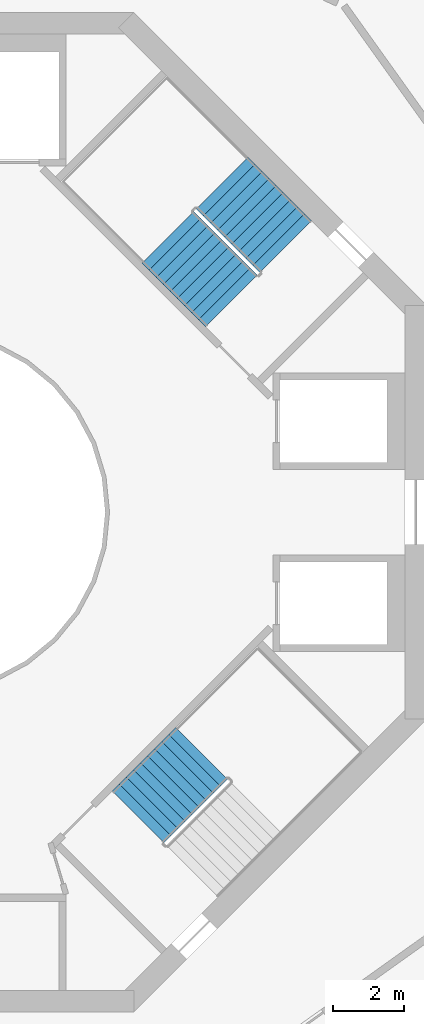
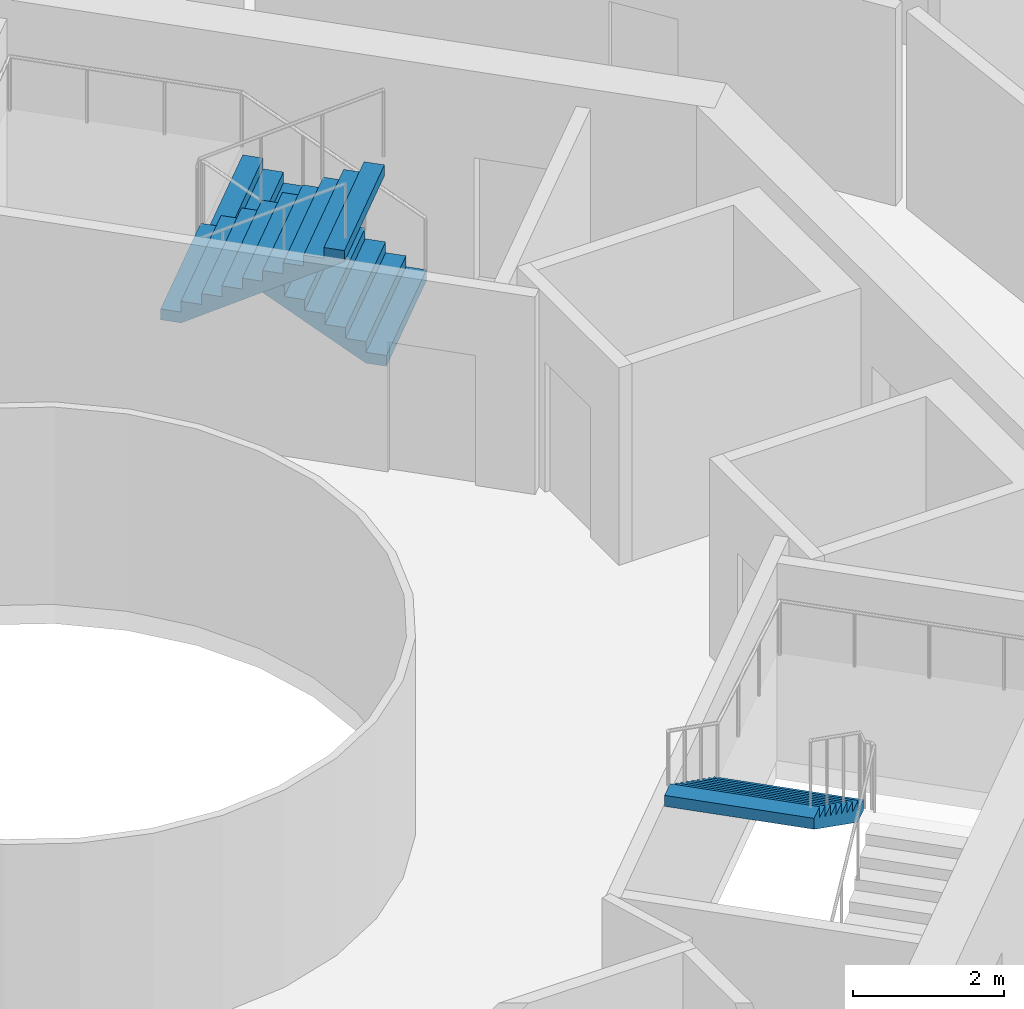
# One storey, part 21 of 22: 3 stair flights, 2 elements without a shape of their own.
"""IFC4 building model written with IfcOpenShell, lengths in metres."""

from ifc_helpers import new_model, si_unit, direction, frame, origin, place, context, subcontext, project, spatial, triangles, material, type_object, element, aggregate, save


model = new_model("IFC4")

# Units and contexts
model_context = context("Model", 3, precision=1e-05, world=origin(), true_north=direction((0.0, 1.0)))
body_context = subcontext(model_context, "Body", "Model", "MODEL_VIEW")
ifc_project = project(units=[si_unit("LENGTHUNIT", "METRE"), si_unit("AREAUNIT", "SQUARE_METRE"), si_unit("VOLUMEUNIT", "CUBIC_METRE"), si_unit("PLANEANGLEUNIT", "RADIAN"), si_unit("MASSUNIT", "GRAM", prefix="KILO")], contexts=[model_context])

# Site, building, storey
site_placement = place(None, origin())
site = spatial("IfcSite", under=ifc_project, at=site_placement, CompositionType="ELEMENT")
building_placement = place(site_placement, origin())
building = spatial("IfcBuilding", under=site, at=building_placement, Name="Verdalira Terraces Hotel", CompositionType="ELEMENT")
storey_placement = place(building_placement, frame((0.0, 0.0, 180.0)))
storey = spatial("IfcBuildingStorey", under=building, at=storey_placement, Name="L43", CompositionType="ELEMENT", Elevation=180.0)

# Stair, stair flights
ifc_material_1 = material(Name="Concrete C40", Category="concrete")
stair_type = type_object("IfcStairType", Name="Core stair 20 risers 2050 mm wide", PredefinedType="HALF_TURN_STAIR", material=ifc_material_1)
stair_1_placement = place(storey_placement, origin())
stair_1 = element("IfcStair", 1, at=stair_1_placement, inside=storey, type_object=stair_type, Name="L43 Exit stair ST1", PredefinedType="HALF_TURN_STAIR")
ifc_material_2 = material(Name="Concrete C40", Category="concrete")
stair_flight_type = type_object("IfcStairFlightType", Name="Core stair flight 20 risers 2050 mm wide", PredefinedType="STRAIGHT", material=ifc_material_2)
stair_flight_1_placement = place(storey_placement, frame((10.058594, 7.442383, 0.0), z_axis=(0.0, 0.0, 1.0), x_axis=(-0.707106781, 0.707106781, 0.0)))
stair_flight_1 = element("IfcStairFlight", 2, at=stair_flight_1_placement, type_object=stair_flight_type, Name="ST1 flight 1", NumberOfRisers=10, NumberOfTreads=9, PredefinedType="STRAIGHT", RiserHeight=0.175, TreadLength=0.28, context=body_context, shape_type="Tessellation", body=[
    triangles([(0.0, 1.025024, 0.0), (0.282715, 1.025024, 0.0), (2.52002, 1.025024, 1.398193), (0.0, -1.025024, 0.0), (0.282715, -1.025024, 0.0), (2.52002, -1.025024, 1.398193), (2.52002, 1.025024, 1.574951), (2.23999, 1.025024, 1.574951), (2.52002, -1.025024, 1.574951), (2.23999, -1.025024, 1.574951), (2.23999, 1.025024, 1.399902), (2.23999, -1.025024, 1.399902), (1.959961, 1.025024, 1.399902), (1.959961, -1.025024, 1.399902), (1.959961, 1.025024, 1.225098), (1.959961, -1.025024, 1.225098), (1.679932, 1.025024, 1.225098), (1.679932, 1.025024, 1.050049), (1.679932, -1.025024, 1.225098), (1.679932, -1.025024, 1.050049), (1.399902, 1.025024, 1.050049), (1.399902, 1.025024, 0.875), (1.399902, -1.025024, 1.050049), (1.399902, -1.025024, 0.875), (1.120117, 1.025024, 0.875), (1.120117, 1.025024, 0.699951), (1.120117, -1.025024, 0.875), (1.120117, -1.025024, 0.699951), (0.840088, 1.025024, 0.699951), (0.840088, 1.025024, 0.524902), (0.840088, -1.025024, 0.699951), (0.840088, -1.025024, 0.524902), (0.560059, 1.025024, 0.524902), (0.560059, 1.025024, 0.350098), (0.560059, -1.025024, 0.524902), (0.560059, -1.025024, 0.350098), (0.280029, 1.025024, 0.350098), (0.280029, 1.025024, 0.175049), (0.280029, -1.025024, 0.350098), (0.280029, -1.025024, 0.175049), (0.0, 1.025024, 0.175049), (0.0, -1.025024, 0.175049), (0.0, -0.96096, 0.0), (0.0, -0.96096, 0.175049), (0.0, -0.896896, 0.0), (0.0, -0.896896, 0.175049), (0.0, -0.832832, 0.0), (0.0, -0.832832, 0.175049), (0.0, -0.768768, 0.0), (0.0, -0.768768, 0.175049), (0.0, -0.704704, 0.0), (0.0, -0.704704, 0.175049), (0.0, -0.64064, 0.0), (0.0, -0.64064, 0.175049), (0.0, -0.576576, 0.0), (0.0, -0.576576, 0.175049), (0.0, -0.512512, 0.0), (0.0, -0.512512, 0.175049), (0.0, -0.448448, 0.0), (0.0, -0.448448, 0.175049), (0.0, -0.384384, 0.0), (0.0, -0.384384, 0.175049), (0.0, -0.32032, 0.0), (0.0, -0.32032, 0.175049), (0.0, -0.256256, 0.0), (0.0, -0.256256, 0.175049), (0.0, -0.192192, 0.0), (0.0, -0.192192, 0.175049), (0.0, -0.128128, 0.0), (0.0, -0.128128, 0.175049), (0.0, -0.064064, 0.0), (0.0, -0.064064, 0.175049), (0.0, 0.0, 0.0), (0.0, 0.0, 0.175049), (0.0, 0.064064, 0.0), (0.0, 0.064064, 0.175049), (0.0, 0.128128, 0.0), (0.0, 0.128128, 0.175049), (0.0, 0.192192, 0.0), (0.0, 0.192192, 0.175049), (0.0, 0.256256, 0.0), (0.0, 0.256256, 0.175049), (0.0, 0.32032, 0.0), (0.0, 0.32032, 0.175049), (0.0, 0.384384, 0.0), (0.0, 0.384384, 0.175049), (0.0, 0.448448, 0.0), (0.0, 0.448448, 0.175049), (0.0, 0.512512, 0.0), (0.0, 0.512512, 0.175049), (0.0, 0.576576, 0.0), (0.0, 0.576576, 0.175049), (0.0, 0.64064, 0.0), (0.0, 0.64064, 0.175049), (0.0, 0.704704, 0.0), (0.0, 0.704704, 0.175049), (0.0, 0.768768, 0.0), (0.0, 0.768768, 0.175049), (0.0, 0.832832, 0.0), (0.0, 0.832832, 0.175049), (0.0, 0.896896, 0.0), (0.0, 0.896896, 0.175049), (0.0, 0.96096, 0.0), (0.0, 0.96096, 0.175049), (2.52002, -0.96096, 1.574951), (2.52002, -0.896896, 1.574951), (2.52002, -0.832832, 1.574951), (2.52002, -0.768768, 1.574951), (2.52002, -0.704704, 1.574951), (2.52002, -0.64064, 1.574951), (2.52002, -0.576576, 1.574951), (2.52002, -0.512512, 1.574951), (2.52002, -0.448448, 1.574951), (2.52002, -0.384384, 1.574951), (2.52002, -0.32032, 1.574951), (2.52002, -0.256256, 1.574951), (2.52002, -0.192192, 1.574951), (2.52002, -0.128128, 1.574951), (2.52002, -0.064064, 1.574951), (2.52002, 0.0, 1.574951), (2.52002, 0.064064, 1.574951), (2.52002, 0.128128, 1.574951), (2.52002, 0.192192, 1.574951), (2.52002, 0.256256, 1.574951), (2.52002, 0.32032, 1.574951), (2.52002, 0.384384, 1.574951), (2.52002, 0.448448, 1.574951), (2.52002, 0.512512, 1.574951), (2.52002, 0.576576, 1.574951), (2.52002, 0.64064, 1.574951), (2.52002, 0.704704, 1.574951), (2.52002, 0.768768, 1.574951), (2.52002, 0.832832, 1.574951), (2.52002, 0.896896, 1.574951), (2.52002, 0.96096, 1.574951), (2.52002, -0.96096, 1.398193), (2.52002, -0.896896, 1.398193), (2.52002, -0.832832, 1.398193), (2.52002, -0.768768, 1.398193), (2.52002, -0.704704, 1.398193), (2.52002, -0.64064, 1.398193), (2.52002, -0.576576, 1.398193), (2.52002, -0.512512, 1.398193), (2.52002, -0.448448, 1.398193), (2.52002, -0.384384, 1.398193), (2.52002, -0.32032, 1.398193), (2.52002, -0.256256, 1.398193), (2.52002, -0.192192, 1.398193), (2.52002, -0.128128, 1.398193), (2.52002, -0.064064, 1.398193), (2.52002, 0.0, 1.398193), (2.52002, 0.064064, 1.398193), (2.52002, 0.128128, 1.398193), (2.52002, 0.192192, 1.398193), (2.52002, 0.256256, 1.398193), (2.52002, 0.32032, 1.398193), (2.52002, 0.384384, 1.398193), (2.52002, 0.448448, 1.398193), (2.52002, 0.512512, 1.398193), (2.52002, 0.576576, 1.398193), (2.52002, 0.64064, 1.398193), (2.52002, 0.704704, 1.398193), (2.52002, 0.768768, 1.398193), (2.52002, 0.832832, 1.398193), (2.52002, 0.896896, 1.398193), (2.52002, 0.96096, 1.398193)], [[1, 3, 2], [4, 5, 6], [3, 8, 7], [6, 9, 10], [3, 11, 8], [6, 10, 12], [3, 13, 11], [6, 12, 14], [3, 15, 13], [6, 14, 16], [15, 18, 17], [16, 19, 20], [3, 18, 15], [6, 16, 20], [18, 22, 21], [20, 23, 24], [3, 22, 18], [6, 20, 24], [22, 26, 25], [24, 27, 28], [3, 26, 22], [6, 24, 28], [26, 30, 29], [28, 31, 32], [3, 30, 26], [6, 28, 32], [1, 30, 3], [4, 6, 32], [30, 34, 33], [32, 35, 36], [34, 38, 37], [36, 39, 40], [30, 38, 34], [32, 36, 40], [1, 38, 30], [4, 32, 40], [38, 1, 41], [40, 42, 4], [4, 44, 43], [4, 42, 44], [43, 46, 45], [43, 44, 46], [45, 48, 47], [45, 46, 48], [47, 50, 49], [47, 48, 50], [49, 52, 51], [49, 50, 52], [51, 54, 53], [51, 52, 54], [53, 56, 55], [53, 54, 56], [55, 58, 57], [55, 56, 58], [57, 60, 59], [57, 58, 60], [59, 62, 61], [59, 60, 62], [61, 64, 63], [61, 62, 64], [63, 66, 65], [63, 64, 66], [65, 68, 67], [65, 66, 68], [67, 70, 69], [67, 68, 70], [69, 72, 71], [69, 70, 72], [71, 74, 73], [71, 72, 74], [73, 76, 75], [73, 74, 76], [75, 78, 77], [75, 76, 78], [77, 80, 79], [77, 78, 80], [79, 82, 81], [79, 80, 82], [81, 84, 83], [81, 82, 84], [83, 86, 85], [83, 84, 86], [85, 88, 87], [85, 86, 88], [87, 90, 89], [87, 88, 90], [89, 92, 91], [89, 90, 92], [91, 94, 93], [91, 92, 94], [93, 96, 95], [93, 94, 96], [95, 98, 97], [95, 96, 98], [97, 100, 99], [97, 98, 100], [99, 102, 101], [99, 100, 102], [101, 104, 103], [101, 102, 104], [103, 41, 1], [103, 104, 41], [42, 40, 44], [44, 40, 46], [46, 40, 48], [48, 40, 50], [50, 40, 52], [52, 40, 54], [54, 40, 56], [56, 40, 58], [58, 40, 60], [60, 40, 62], [62, 40, 64], [64, 40, 66], [66, 40, 68], [68, 40, 70], [70, 40, 72], [72, 40, 74], [74, 40, 76], [76, 40, 78], [78, 40, 80], [80, 40, 82], [82, 40, 84], [84, 40, 86], [86, 40, 88], [88, 40, 90], [90, 40, 92], [92, 40, 94], [94, 40, 96], [96, 40, 98], [98, 40, 100], [100, 40, 102], [102, 40, 104], [104, 40, 41], [41, 40, 38], [40, 37, 38], [40, 39, 37], [39, 34, 37], [39, 36, 34], [36, 33, 34], [36, 35, 33], [35, 30, 33], [35, 32, 30], [32, 29, 30], [32, 31, 29], [31, 26, 29], [31, 28, 26], [28, 25, 26], [28, 27, 25], [27, 22, 25], [27, 24, 22], [24, 21, 22], [24, 23, 21], [23, 18, 21], [23, 20, 18], [20, 17, 18], [20, 19, 17], [19, 15, 17], [19, 16, 15], [16, 13, 15], [16, 14, 13], [14, 11, 13], [14, 12, 11], [12, 8, 11], [12, 10, 8], [9, 105, 10], [105, 106, 10], [106, 107, 10], [107, 108, 10], [108, 109, 10], [109, 110, 10], [110, 111, 10], [111, 112, 10], [112, 113, 10], [113, 114, 10], [114, 115, 10], [115, 116, 10], [116, 117, 10], [117, 118, 10], [118, 119, 10], [119, 120, 10], [120, 121, 10], [121, 122, 10], [122, 123, 10], [123, 124, 10], [124, 125, 10], [125, 126, 10], [126, 127, 10], [127, 128, 10], [128, 129, 10], [129, 130, 10], [130, 131, 10], [131, 132, 10], [132, 133, 10], [133, 134, 10], [134, 135, 10], [135, 7, 10], [7, 8, 10], [9, 136, 105], [9, 6, 136], [105, 137, 106], [105, 136, 137], [106, 138, 107], [106, 137, 138], [107, 139, 108], [107, 138, 139], [108, 140, 109], [108, 139, 140], [109, 141, 110], [109, 140, 141], [110, 142, 111], [110, 141, 142], [111, 143, 112], [111, 142, 143], [112, 144, 113], [112, 143, 144], [113, 145, 114], [113, 144, 145], [114, 146, 115], [114, 145, 146], [115, 147, 116], [115, 146, 147], [116, 148, 117], [116, 147, 148], [117, 149, 118], [117, 148, 149], [118, 150, 119], [118, 149, 150], [119, 151, 120], [119, 150, 151], [120, 152, 121], [120, 151, 152], [121, 153, 122], [121, 152, 153], [122, 154, 123], [122, 153, 154], [123, 155, 124], [123, 154, 155], [124, 156, 125], [124, 155, 156], [125, 157, 126], [125, 156, 157], [126, 158, 127], [126, 157, 158], [127, 159, 128], [127, 158, 159], [128, 160, 129], [128, 159, 160], [129, 161, 130], [129, 160, 161], [130, 162, 131], [130, 161, 162], [131, 163, 132], [131, 162, 163], [132, 164, 133], [132, 163, 164], [133, 165, 134], [133, 164, 165], [134, 166, 135], [134, 165, 166], [135, 3, 7], [135, 166, 3], [6, 5, 136], [136, 5, 137], [137, 5, 138], [138, 5, 139], [139, 5, 140], [140, 5, 141], [141, 5, 142], [142, 5, 143], [143, 5, 144], [144, 5, 145], [145, 5, 146], [146, 5, 147], [147, 5, 148], [148, 5, 149], [149, 5, 150], [150, 5, 151], [151, 5, 152], [152, 5, 153], [153, 5, 154], [154, 5, 155], [155, 5, 156], [156, 5, 157], [157, 5, 158], [158, 5, 159], [159, 5, 160], [160, 5, 161], [161, 5, 162], [162, 5, 163], [163, 5, 164], [164, 5, 165], [165, 5, 166], [166, 5, 3], [3, 5, 2], [4, 43, 5], [43, 45, 5], [45, 47, 5], [47, 49, 5], [49, 51, 5], [51, 53, 5], [53, 55, 5], [55, 57, 5], [57, 59, 5], [59, 61, 5], [61, 63, 5], [63, 65, 5], [65, 67, 5], [67, 69, 5], [69, 71, 5], [71, 73, 5], [73, 75, 5], [75, 77, 5], [77, 79, 5], [79, 81, 5], [81, 83, 5], [83, 85, 5], [85, 87, 5], [87, 89, 5], [89, 91, 5], [91, 93, 5], [93, 95, 5], [95, 97, 5], [97, 99, 5], [99, 101, 5], [101, 103, 5], [103, 1, 5], [1, 2, 5]], closed=True),
])
stair_flight_2_placement = place(storey_placement, frame((6.756348, 7.703857, 1.75), z_axis=(0.0, 0.0, 1.0), x_axis=(0.707106781, -0.707106781, 0.0)))
stair_flight_2 = element("IfcStairFlight", 3, at=stair_flight_2_placement, type_object=stair_flight_type, Name="ST1 flight 2", NumberOfRisers=10, NumberOfTreads=9, PredefinedType="STRAIGHT", RiserHeight=0.175, TreadLength=0.28, context=body_context, shape_type="Tessellation", body=[
    triangles([(0.0, 1.025024, 0.0), (0.282715, 1.025024, 0.0), (2.52002, 1.025024, 1.398193), (0.0, -1.025024, 0.0), (0.282715, -1.025024, 0.0), (2.52002, -1.025024, 1.398193), (2.52002, 1.025024, 1.574951), (2.23999, 1.025024, 1.574951), (2.52002, -1.025024, 1.574951), (2.23999, -1.025024, 1.574951), (2.23999, 1.025024, 1.399902), (2.23999, -1.025024, 1.399902), (1.959961, 1.025024, 1.399902), (1.959961, -1.025024, 1.399902), (1.959961, 1.025024, 1.225098), (1.959961, -1.025024, 1.225098), (1.679932, 1.025024, 1.225098), (1.679932, 1.025024, 1.050049), (1.679932, -1.025024, 1.225098), (1.679932, -1.025024, 1.050049), (1.399902, 1.025024, 1.050049), (1.399902, 1.025024, 0.875), (1.399902, -1.025024, 1.050049), (1.399902, -1.025024, 0.875), (1.120117, 1.025024, 0.875), (1.120117, 1.025024, 0.699951), (1.120117, -1.025024, 0.875), (1.120117, -1.025024, 0.699951), (0.840088, 1.025024, 0.699951), (0.840088, 1.025024, 0.524902), (0.840088, -1.025024, 0.699951), (0.840088, -1.025024, 0.524902), (0.560059, 1.025024, 0.524902), (0.560059, 1.025024, 0.350098), (0.560059, -1.025024, 0.524902), (0.560059, -1.025024, 0.350098), (0.280029, 1.025024, 0.350098), (0.280029, 1.025024, 0.175049), (0.280029, -1.025024, 0.350098), (0.280029, -1.025024, 0.175049), (0.0, 1.025024, 0.175049), (0.0, -1.025024, 0.175049), (0.0, -0.96096, 0.0), (0.0, -0.96096, 0.175049), (0.0, -0.896896, 0.0), (0.0, -0.896896, 0.175049), (0.0, -0.832832, 0.0), (0.0, -0.832832, 0.175049), (0.0, -0.768768, 0.0), (0.0, -0.768768, 0.175049), (0.0, -0.704704, 0.0), (0.0, -0.704704, 0.175049), (0.0, -0.64064, 0.0), (0.0, -0.64064, 0.175049), (0.0, -0.576576, 0.0), (0.0, -0.576576, 0.175049), (0.0, -0.512512, 0.0), (0.0, -0.512512, 0.175049), (0.0, -0.448448, 0.0), (0.0, -0.448448, 0.175049), (0.0, -0.384384, 0.0), (0.0, -0.384384, 0.175049), (0.0, -0.32032, 0.0), (0.0, -0.32032, 0.175049), (0.0, -0.256256, 0.0), (0.0, -0.256256, 0.175049), (0.0, -0.192192, 0.0), (0.0, -0.192192, 0.175049), (0.0, -0.128128, 0.0), (0.0, -0.128128, 0.175049), (0.0, -0.064064, 0.0), (0.0, -0.064064, 0.175049), (0.0, 0.0, 0.0), (0.0, 0.0, 0.175049), (0.0, 0.064064, 0.0), (0.0, 0.064064, 0.175049), (0.0, 0.128128, 0.0), (0.0, 0.128128, 0.175049), (0.0, 0.192192, 0.0), (0.0, 0.192192, 0.175049), (0.0, 0.256256, 0.0), (0.0, 0.256256, 0.175049), (0.0, 0.32032, 0.0), (0.0, 0.32032, 0.175049), (0.0, 0.384384, 0.0), (0.0, 0.384384, 0.175049), (0.0, 0.448448, 0.0), (0.0, 0.448448, 0.175049), (0.0, 0.512512, 0.0), (0.0, 0.512512, 0.175049), (0.0, 0.576576, 0.0), (0.0, 0.576576, 0.175049), (0.0, 0.64064, 0.0), (0.0, 0.64064, 0.175049), (0.0, 0.704704, 0.0), (0.0, 0.704704, 0.175049), (0.0, 0.768768, 0.0), (0.0, 0.768768, 0.175049), (0.0, 0.832832, 0.0), (0.0, 0.832832, 0.175049), (0.0, 0.896896, 0.0), (0.0, 0.896896, 0.175049), (0.0, 0.96096, 0.0), (0.0, 0.96096, 0.175049), (2.52002, -0.96096, 1.574951), (2.52002, -0.896896, 1.574951), (2.52002, -0.832832, 1.574951), (2.52002, -0.768768, 1.574951), (2.52002, -0.704704, 1.574951), (2.52002, -0.64064, 1.574951), (2.52002, -0.576576, 1.574951), (2.52002, -0.512512, 1.574951), (2.52002, -0.448448, 1.574951), (2.52002, -0.384384, 1.574951), (2.52002, -0.32032, 1.574951), (2.52002, -0.256256, 1.574951), (2.52002, -0.192192, 1.574951), (2.52002, -0.128128, 1.574951), (2.52002, -0.064064, 1.574951), (2.52002, 0.0, 1.574951), (2.52002, 0.064064, 1.574951), (2.52002, 0.128128, 1.574951), (2.52002, 0.192192, 1.574951), (2.52002, 0.256256, 1.574951), (2.52002, 0.32032, 1.574951), (2.52002, 0.384384, 1.574951), (2.52002, 0.448448, 1.574951), (2.52002, 0.512512, 1.574951), (2.52002, 0.576576, 1.574951), (2.52002, 0.64064, 1.574951), (2.52002, 0.704704, 1.574951), (2.52002, 0.768768, 1.574951), (2.52002, 0.832832, 1.574951), (2.52002, 0.896896, 1.574951), (2.52002, 0.96096, 1.574951), (2.52002, -0.96096, 1.398193), (2.52002, -0.896896, 1.398193), (2.52002, -0.832832, 1.398193), (2.52002, -0.768768, 1.398193), (2.52002, -0.704704, 1.398193), (2.52002, -0.64064, 1.398193), (2.52002, -0.576576, 1.398193), (2.52002, -0.512512, 1.398193), (2.52002, -0.448448, 1.398193), (2.52002, -0.384384, 1.398193), (2.52002, -0.32032, 1.398193), (2.52002, -0.256256, 1.398193), (2.52002, -0.192192, 1.398193), (2.52002, -0.128128, 1.398193), (2.52002, -0.064064, 1.398193), (2.52002, 0.0, 1.398193), (2.52002, 0.064064, 1.398193), (2.52002, 0.128128, 1.398193), (2.52002, 0.192192, 1.398193), (2.52002, 0.256256, 1.398193), (2.52002, 0.32032, 1.398193), (2.52002, 0.384384, 1.398193), (2.52002, 0.448448, 1.398193), (2.52002, 0.512512, 1.398193), (2.52002, 0.576576, 1.398193), (2.52002, 0.64064, 1.398193), (2.52002, 0.704704, 1.398193), (2.52002, 0.768768, 1.398193), (2.52002, 0.832832, 1.398193), (2.52002, 0.896896, 1.398193), (2.52002, 0.96096, 1.398193)], [[1, 3, 2], [4, 5, 6], [3, 8, 7], [6, 9, 10], [3, 11, 8], [6, 10, 12], [3, 13, 11], [6, 12, 14], [3, 15, 13], [6, 14, 16], [15, 18, 17], [16, 19, 20], [3, 18, 15], [6, 16, 20], [18, 22, 21], [20, 23, 24], [3, 22, 18], [6, 20, 24], [22, 26, 25], [24, 27, 28], [3, 26, 22], [6, 24, 28], [26, 30, 29], [28, 31, 32], [3, 30, 26], [6, 28, 32], [1, 30, 3], [4, 6, 32], [30, 34, 33], [32, 35, 36], [34, 38, 37], [36, 39, 40], [30, 38, 34], [32, 36, 40], [1, 38, 30], [4, 32, 40], [38, 1, 41], [40, 42, 4], [4, 44, 43], [4, 42, 44], [43, 46, 45], [43, 44, 46], [45, 48, 47], [45, 46, 48], [47, 50, 49], [47, 48, 50], [49, 52, 51], [49, 50, 52], [51, 54, 53], [51, 52, 54], [53, 56, 55], [53, 54, 56], [55, 58, 57], [55, 56, 58], [57, 60, 59], [57, 58, 60], [59, 62, 61], [59, 60, 62], [61, 64, 63], [61, 62, 64], [63, 66, 65], [63, 64, 66], [65, 68, 67], [65, 66, 68], [67, 70, 69], [67, 68, 70], [69, 72, 71], [69, 70, 72], [71, 74, 73], [71, 72, 74], [73, 76, 75], [73, 74, 76], [75, 78, 77], [75, 76, 78], [77, 80, 79], [77, 78, 80], [79, 82, 81], [79, 80, 82], [81, 84, 83], [81, 82, 84], [83, 86, 85], [83, 84, 86], [85, 88, 87], [85, 86, 88], [87, 90, 89], [87, 88, 90], [89, 92, 91], [89, 90, 92], [91, 94, 93], [91, 92, 94], [93, 96, 95], [93, 94, 96], [95, 98, 97], [95, 96, 98], [97, 100, 99], [97, 98, 100], [99, 102, 101], [99, 100, 102], [101, 104, 103], [101, 102, 104], [103, 41, 1], [103, 104, 41], [42, 40, 44], [44, 40, 46], [46, 40, 48], [48, 40, 50], [50, 40, 52], [52, 40, 54], [54, 40, 56], [56, 40, 58], [58, 40, 60], [60, 40, 62], [62, 40, 64], [64, 40, 66], [66, 40, 68], [68, 40, 70], [70, 40, 72], [72, 40, 74], [74, 40, 76], [76, 40, 78], [78, 40, 80], [80, 40, 82], [82, 40, 84], [84, 40, 86], [86, 40, 88], [88, 40, 90], [90, 40, 92], [92, 40, 94], [94, 40, 96], [96, 40, 98], [98, 40, 100], [100, 40, 102], [102, 40, 104], [104, 40, 41], [41, 40, 38], [40, 37, 38], [40, 39, 37], [39, 34, 37], [39, 36, 34], [36, 33, 34], [36, 35, 33], [35, 30, 33], [35, 32, 30], [32, 29, 30], [32, 31, 29], [31, 26, 29], [31, 28, 26], [28, 25, 26], [28, 27, 25], [27, 22, 25], [27, 24, 22], [24, 21, 22], [24, 23, 21], [23, 18, 21], [23, 20, 18], [20, 17, 18], [20, 19, 17], [19, 15, 17], [19, 16, 15], [16, 13, 15], [16, 14, 13], [14, 11, 13], [14, 12, 11], [12, 8, 11], [12, 10, 8], [9, 105, 10], [105, 106, 10], [106, 107, 10], [107, 108, 10], [108, 109, 10], [109, 110, 10], [110, 111, 10], [111, 112, 10], [112, 113, 10], [113, 114, 10], [114, 115, 10], [115, 116, 10], [116, 117, 10], [117, 118, 10], [118, 119, 10], [119, 120, 10], [120, 121, 10], [121, 122, 10], [122, 123, 10], [123, 124, 10], [124, 125, 10], [125, 126, 10], [126, 127, 10], [127, 128, 10], [128, 129, 10], [129, 130, 10], [130, 131, 10], [131, 132, 10], [132, 133, 10], [133, 134, 10], [134, 135, 10], [135, 7, 10], [7, 8, 10], [9, 136, 105], [9, 6, 136], [105, 137, 106], [105, 136, 137], [106, 138, 107], [106, 137, 138], [107, 139, 108], [107, 138, 139], [108, 140, 109], [108, 139, 140], [109, 141, 110], [109, 140, 141], [110, 142, 111], [110, 141, 142], [111, 143, 112], [111, 142, 143], [112, 144, 113], [112, 143, 144], [113, 145, 114], [113, 144, 145], [114, 146, 115], [114, 145, 146], [115, 147, 116], [115, 146, 147], [116, 148, 117], [116, 147, 148], [117, 149, 118], [117, 148, 149], [118, 150, 119], [118, 149, 150], [119, 151, 120], [119, 150, 151], [120, 152, 121], [120, 151, 152], [121, 153, 122], [121, 152, 153], [122, 154, 123], [122, 153, 154], [123, 155, 124], [123, 154, 155], [124, 156, 125], [124, 155, 156], [125, 157, 126], [125, 156, 157], [126, 158, 127], [126, 157, 158], [127, 159, 128], [127, 158, 159], [128, 160, 129], [128, 159, 160], [129, 161, 130], [129, 160, 161], [130, 162, 131], [130, 161, 162], [131, 163, 132], [131, 162, 163], [132, 164, 133], [132, 163, 164], [133, 165, 134], [133, 164, 165], [134, 166, 135], [134, 165, 166], [135, 3, 7], [135, 166, 3], [6, 5, 136], [136, 5, 137], [137, 5, 138], [138, 5, 139], [139, 5, 140], [140, 5, 141], [141, 5, 142], [142, 5, 143], [143, 5, 144], [144, 5, 145], [145, 5, 146], [146, 5, 147], [147, 5, 148], [148, 5, 149], [149, 5, 150], [150, 5, 151], [151, 5, 152], [152, 5, 153], [153, 5, 154], [154, 5, 155], [155, 5, 156], [156, 5, 157], [157, 5, 158], [158, 5, 159], [159, 5, 160], [160, 5, 161], [161, 5, 162], [162, 5, 163], [163, 5, 164], [164, 5, 165], [165, 5, 166], [166, 5, 3], [3, 5, 2], [4, 43, 5], [43, 45, 5], [45, 47, 5], [47, 49, 5], [49, 51, 5], [51, 53, 5], [53, 55, 5], [55, 57, 5], [57, 59, 5], [59, 61, 5], [61, 63, 5], [63, 65, 5], [65, 67, 5], [67, 69, 5], [69, 71, 5], [71, 73, 5], [73, 75, 5], [75, 77, 5], [77, 79, 5], [79, 81, 5], [81, 83, 5], [83, 85, 5], [85, 87, 5], [87, 89, 5], [89, 91, 5], [91, 93, 5], [93, 95, 5], [95, 97, 5], [97, 99, 5], [99, 101, 5], [101, 103, 5], [103, 1, 5], [1, 2, 5]], closed=True),
])
aggregate(stair_1, [stair_flight_1, stair_flight_2])

# Stair, stair flight
stair_2_placement = place(storey_placement, origin())
stair_2 = element("IfcStair", 4, at=stair_2_placement, inside=storey, type_object=stair_type, Name="L43 Exit stair ST3", PredefinedType="HALF_TURN_STAIR")
stair_flight_3_placement = place(storey_placement, frame((7.703857, -6.756348, 1.75), z_axis=(0.0, 0.0, 1.0), x_axis=(-0.707106781, -0.707106781, 0.0)))
stair_flight_3 = element("IfcStairFlight", 5, at=stair_flight_3_placement, type_object=stair_flight_type, Name="ST3 flight 2", NumberOfRisers=10, NumberOfTreads=9, PredefinedType="STRAIGHT", RiserHeight=0.175, TreadLength=0.28, context=body_context, shape_type="Tessellation", body=[
    triangles([(0.0, 1.025024, 0.0), (0.282715, 1.025024, 0.0), (2.52002, 1.025024, 1.398193), (0.0, -1.025024, 0.0), (0.282715, -1.025024, 0.0), (2.52002, -1.025024, 1.398193), (2.52002, 1.025024, 1.574951), (2.23999, 1.025024, 1.574951), (2.52002, -1.025024, 1.574951), (2.23999, -1.025024, 1.574951), (2.23999, 1.025024, 1.399902), (2.23999, -1.025024, 1.399902), (1.959961, 1.025024, 1.399902), (1.959961, -1.025024, 1.399902), (1.959961, 1.025024, 1.225098), (1.959961, -1.025024, 1.225098), (1.679932, 1.025024, 1.225098), (1.679932, 1.025024, 1.050049), (1.679932, -1.025024, 1.225098), (1.679932, -1.025024, 1.050049), (1.399902, 1.025024, 1.050049), (1.399902, 1.025024, 0.875), (1.399902, -1.025024, 1.050049), (1.399902, -1.025024, 0.875), (1.120117, 1.025024, 0.875), (1.120117, 1.025024, 0.699951), (1.120117, -1.025024, 0.875), (1.120117, -1.025024, 0.699951), (0.840088, 1.025024, 0.699951), (0.840088, 1.025024, 0.524902), (0.840088, -1.025024, 0.699951), (0.840088, -1.025024, 0.524902), (0.560059, 1.025024, 0.524902), (0.560059, 1.025024, 0.350098), (0.560059, -1.025024, 0.524902), (0.560059, -1.025024, 0.350098), (0.280029, 1.025024, 0.350098), (0.280029, 1.025024, 0.175049), (0.280029, -1.025024, 0.350098), (0.280029, -1.025024, 0.175049), (0.0, 1.025024, 0.175049), (0.0, -1.025024, 0.175049), (0.0, -0.96096, 0.0), (0.0, -0.96096, 0.175049), (0.0, -0.896896, 0.0), (0.0, -0.896896, 0.175049), (0.0, -0.832832, 0.0), (0.0, -0.832832, 0.175049), (0.0, -0.768768, 0.0), (0.0, -0.768768, 0.175049), (0.0, -0.704704, 0.0), (0.0, -0.704704, 0.175049), (0.0, -0.64064, 0.0), (0.0, -0.64064, 0.175049), (0.0, -0.576576, 0.0), (0.0, -0.576576, 0.175049), (0.0, -0.512512, 0.0), (0.0, -0.512512, 0.175049), (0.0, -0.448448, 0.0), (0.0, -0.448448, 0.175049), (0.0, -0.384384, 0.0), (0.0, -0.384384, 0.175049), (0.0, -0.32032, 0.0), (0.0, -0.32032, 0.175049), (0.0, -0.256256, 0.0), (0.0, -0.256256, 0.175049), (0.0, -0.192192, 0.0), (0.0, -0.192192, 0.175049), (0.0, -0.128128, 0.0), (0.0, -0.128128, 0.175049), (0.0, -0.064064, 0.0), (0.0, -0.064064, 0.175049), (0.0, 0.0, 0.0), (0.0, 0.0, 0.175049), (0.0, 0.064064, 0.0), (0.0, 0.064064, 0.175049), (0.0, 0.128128, 0.0), (0.0, 0.128128, 0.175049), (0.0, 0.192192, 0.0), (0.0, 0.192192, 0.175049), (0.0, 0.256256, 0.0), (0.0, 0.256256, 0.175049), (0.0, 0.32032, 0.0), (0.0, 0.32032, 0.175049), (0.0, 0.384384, 0.0), (0.0, 0.384384, 0.175049), (0.0, 0.448448, 0.0), (0.0, 0.448448, 0.175049), (0.0, 0.512512, 0.0), (0.0, 0.512512, 0.175049), (0.0, 0.576576, 0.0), (0.0, 0.576576, 0.175049), (0.0, 0.64064, 0.0), (0.0, 0.64064, 0.175049), (0.0, 0.704704, 0.0), (0.0, 0.704704, 0.175049), (0.0, 0.768768, 0.0), (0.0, 0.768768, 0.175049), (0.0, 0.832832, 0.0), (0.0, 0.832832, 0.175049), (0.0, 0.896896, 0.0), (0.0, 0.896896, 0.175049), (0.0, 0.96096, 0.0), (0.0, 0.96096, 0.175049), (2.52002, -0.96096, 1.574951), (2.52002, -0.896896, 1.574951), (2.52002, -0.832832, 1.574951), (2.52002, -0.768768, 1.574951), (2.52002, -0.704704, 1.574951), (2.52002, -0.64064, 1.574951), (2.52002, -0.576576, 1.574951), (2.52002, -0.512512, 1.574951), (2.52002, -0.448448, 1.574951), (2.52002, -0.384384, 1.574951), (2.52002, -0.32032, 1.574951), (2.52002, -0.256256, 1.574951), (2.52002, -0.192192, 1.574951), (2.52002, -0.128128, 1.574951), (2.52002, -0.064064, 1.574951), (2.52002, 0.0, 1.574951), (2.52002, 0.064064, 1.574951), (2.52002, 0.128128, 1.574951), (2.52002, 0.192192, 1.574951), (2.52002, 0.256256, 1.574951), (2.52002, 0.32032, 1.574951), (2.52002, 0.384384, 1.574951), (2.52002, 0.448448, 1.574951), (2.52002, 0.512512, 1.574951), (2.52002, 0.576576, 1.574951), (2.52002, 0.64064, 1.574951), (2.52002, 0.704704, 1.574951), (2.52002, 0.768768, 1.574951), (2.52002, 0.832832, 1.574951), (2.52002, 0.896896, 1.574951), (2.52002, 0.96096, 1.574951), (2.52002, -0.96096, 1.398193), (2.52002, -0.896896, 1.398193), (2.52002, -0.832832, 1.398193), (2.52002, -0.768768, 1.398193), (2.52002, -0.704704, 1.398193), (2.52002, -0.64064, 1.398193), (2.52002, -0.576576, 1.398193), (2.52002, -0.512512, 1.398193), (2.52002, -0.448448, 1.398193), (2.52002, -0.384384, 1.398193), (2.52002, -0.32032, 1.398193), (2.52002, -0.256256, 1.398193), (2.52002, -0.192192, 1.398193), (2.52002, -0.128128, 1.398193), (2.52002, -0.064064, 1.398193), (2.52002, 0.0, 1.398193), (2.52002, 0.064064, 1.398193), (2.52002, 0.128128, 1.398193), (2.52002, 0.192192, 1.398193), (2.52002, 0.256256, 1.398193), (2.52002, 0.32032, 1.398193), (2.52002, 0.384384, 1.398193), (2.52002, 0.448448, 1.398193), (2.52002, 0.512512, 1.398193), (2.52002, 0.576576, 1.398193), (2.52002, 0.64064, 1.398193), (2.52002, 0.704704, 1.398193), (2.52002, 0.768768, 1.398193), (2.52002, 0.832832, 1.398193), (2.52002, 0.896896, 1.398193), (2.52002, 0.96096, 1.398193)], [[1, 3, 2], [4, 5, 6], [3, 8, 7], [6, 9, 10], [3, 11, 8], [6, 10, 12], [3, 13, 11], [6, 12, 14], [3, 15, 13], [6, 14, 16], [15, 18, 17], [16, 19, 20], [3, 18, 15], [6, 16, 20], [18, 22, 21], [20, 23, 24], [3, 22, 18], [6, 20, 24], [22, 26, 25], [24, 27, 28], [3, 26, 22], [6, 24, 28], [26, 30, 29], [28, 31, 32], [3, 30, 26], [6, 28, 32], [1, 30, 3], [4, 6, 32], [30, 34, 33], [32, 35, 36], [34, 38, 37], [36, 39, 40], [30, 38, 34], [32, 36, 40], [1, 38, 30], [4, 32, 40], [38, 1, 41], [40, 42, 4], [4, 44, 43], [4, 42, 44], [43, 46, 45], [43, 44, 46], [45, 48, 47], [45, 46, 48], [47, 50, 49], [47, 48, 50], [49, 52, 51], [49, 50, 52], [51, 54, 53], [51, 52, 54], [53, 56, 55], [53, 54, 56], [55, 58, 57], [55, 56, 58], [57, 60, 59], [57, 58, 60], [59, 62, 61], [59, 60, 62], [61, 64, 63], [61, 62, 64], [63, 66, 65], [63, 64, 66], [65, 68, 67], [65, 66, 68], [67, 70, 69], [67, 68, 70], [69, 72, 71], [69, 70, 72], [71, 74, 73], [71, 72, 74], [73, 76, 75], [73, 74, 76], [75, 78, 77], [75, 76, 78], [77, 80, 79], [77, 78, 80], [79, 82, 81], [79, 80, 82], [81, 84, 83], [81, 82, 84], [83, 86, 85], [83, 84, 86], [85, 88, 87], [85, 86, 88], [87, 90, 89], [87, 88, 90], [89, 92, 91], [89, 90, 92], [91, 94, 93], [91, 92, 94], [93, 96, 95], [93, 94, 96], [95, 98, 97], [95, 96, 98], [97, 100, 99], [97, 98, 100], [99, 102, 101], [99, 100, 102], [101, 104, 103], [101, 102, 104], [103, 41, 1], [103, 104, 41], [42, 40, 44], [44, 40, 46], [46, 40, 48], [48, 40, 50], [50, 40, 52], [52, 40, 54], [54, 40, 56], [56, 40, 58], [58, 40, 60], [60, 40, 62], [62, 40, 64], [64, 40, 66], [66, 40, 68], [68, 40, 70], [70, 40, 72], [72, 40, 74], [74, 40, 76], [76, 40, 78], [78, 40, 80], [80, 40, 82], [82, 40, 84], [84, 40, 86], [86, 40, 88], [88, 40, 90], [90, 40, 92], [92, 40, 94], [94, 40, 96], [96, 40, 98], [98, 40, 100], [100, 40, 102], [102, 40, 104], [104, 40, 41], [41, 40, 38], [40, 37, 38], [40, 39, 37], [39, 34, 37], [39, 36, 34], [36, 33, 34], [36, 35, 33], [35, 30, 33], [35, 32, 30], [32, 29, 30], [32, 31, 29], [31, 26, 29], [31, 28, 26], [28, 25, 26], [28, 27, 25], [27, 22, 25], [27, 24, 22], [24, 21, 22], [24, 23, 21], [23, 18, 21], [23, 20, 18], [20, 17, 18], [20, 19, 17], [19, 15, 17], [19, 16, 15], [16, 13, 15], [16, 14, 13], [14, 11, 13], [14, 12, 11], [12, 8, 11], [12, 10, 8], [9, 105, 10], [105, 106, 10], [106, 107, 10], [107, 108, 10], [108, 109, 10], [109, 110, 10], [110, 111, 10], [111, 112, 10], [112, 113, 10], [113, 114, 10], [114, 115, 10], [115, 116, 10], [116, 117, 10], [117, 118, 10], [118, 119, 10], [119, 120, 10], [120, 121, 10], [121, 122, 10], [122, 123, 10], [123, 124, 10], [124, 125, 10], [125, 126, 10], [126, 127, 10], [127, 128, 10], [128, 129, 10], [129, 130, 10], [130, 131, 10], [131, 132, 10], [132, 133, 10], [133, 134, 10], [134, 135, 10], [135, 7, 10], [7, 8, 10], [9, 136, 105], [9, 6, 136], [105, 137, 106], [105, 136, 137], [106, 138, 107], [106, 137, 138], [107, 139, 108], [107, 138, 139], [108, 140, 109], [108, 139, 140], [109, 141, 110], [109, 140, 141], [110, 142, 111], [110, 141, 142], [111, 143, 112], [111, 142, 143], [112, 144, 113], [112, 143, 144], [113, 145, 114], [113, 144, 145], [114, 146, 115], [114, 145, 146], [115, 147, 116], [115, 146, 147], [116, 148, 117], [116, 147, 148], [117, 149, 118], [117, 148, 149], [118, 150, 119], [118, 149, 150], [119, 151, 120], [119, 150, 151], [120, 152, 121], [120, 151, 152], [121, 153, 122], [121, 152, 153], [122, 154, 123], [122, 153, 154], [123, 155, 124], [123, 154, 155], [124, 156, 125], [124, 155, 156], [125, 157, 126], [125, 156, 157], [126, 158, 127], [126, 157, 158], [127, 159, 128], [127, 158, 159], [128, 160, 129], [128, 159, 160], [129, 161, 130], [129, 160, 161], [130, 162, 131], [130, 161, 162], [131, 163, 132], [131, 162, 163], [132, 164, 133], [132, 163, 164], [133, 165, 134], [133, 164, 165], [134, 166, 135], [134, 165, 166], [135, 3, 7], [135, 166, 3], [6, 5, 136], [136, 5, 137], [137, 5, 138], [138, 5, 139], [139, 5, 140], [140, 5, 141], [141, 5, 142], [142, 5, 143], [143, 5, 144], [144, 5, 145], [145, 5, 146], [146, 5, 147], [147, 5, 148], [148, 5, 149], [149, 5, 150], [150, 5, 151], [151, 5, 152], [152, 5, 153], [153, 5, 154], [154, 5, 155], [155, 5, 156], [156, 5, 157], [157, 5, 158], [158, 5, 159], [159, 5, 160], [160, 5, 161], [161, 5, 162], [162, 5, 163], [163, 5, 164], [164, 5, 165], [165, 5, 166], [166, 5, 3], [3, 5, 2], [4, 43, 5], [43, 45, 5], [45, 47, 5], [47, 49, 5], [49, 51, 5], [51, 53, 5], [53, 55, 5], [55, 57, 5], [57, 59, 5], [59, 61, 5], [61, 63, 5], [63, 65, 5], [65, 67, 5], [67, 69, 5], [69, 71, 5], [71, 73, 5], [73, 75, 5], [75, 77, 5], [77, 79, 5], [79, 81, 5], [81, 83, 5], [83, 85, 5], [85, 87, 5], [87, 89, 5], [89, 91, 5], [91, 93, 5], [93, 95, 5], [95, 97, 5], [97, 99, 5], [99, 101, 5], [101, 103, 5], [103, 1, 5], [1, 2, 5]], closed=True),
])
aggregate(stair_2, [stair_flight_3])

save(model, "model.ifc")
